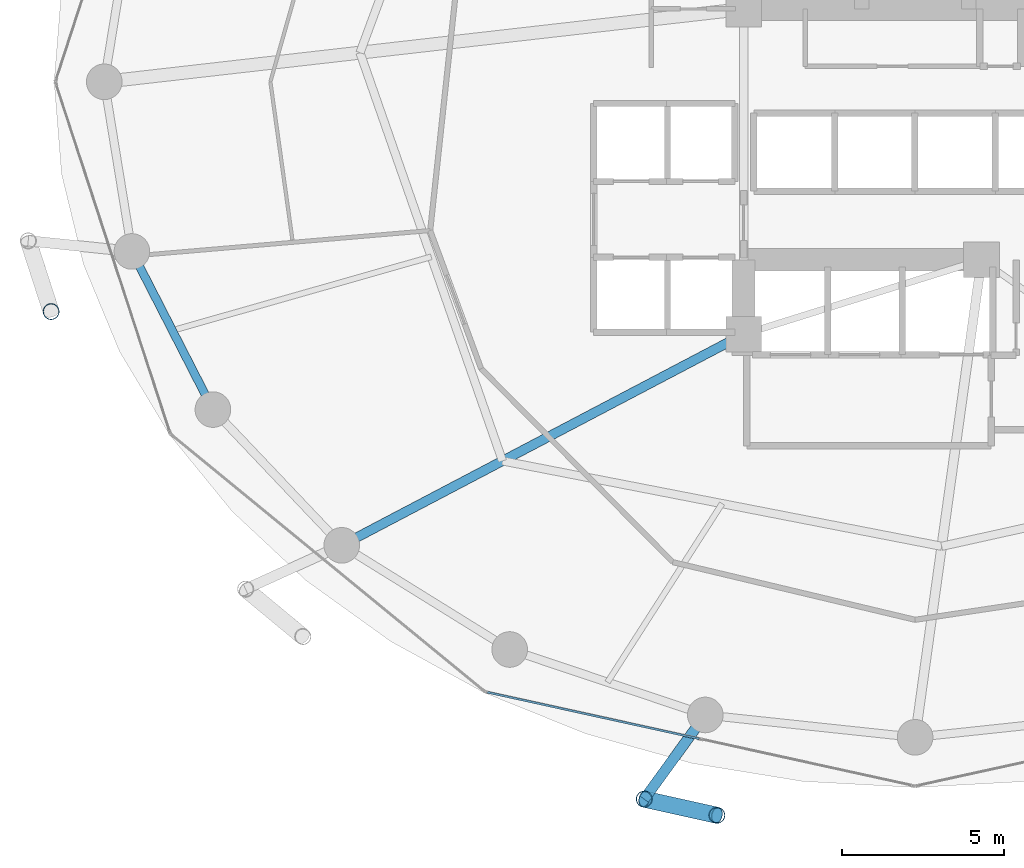
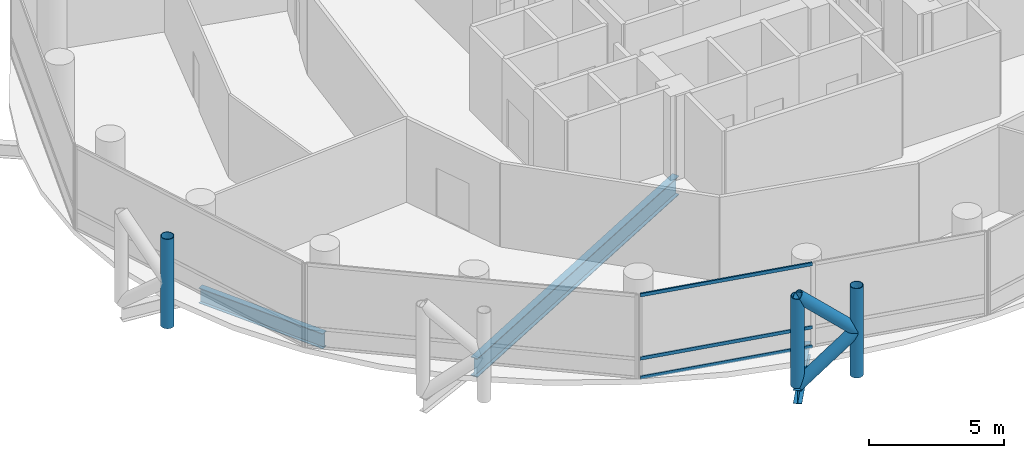
# One storey, part 3 of 24: 8 members, 3 beams, 1 element without a shape of its own.
"""IFC4 building model written with IfcOpenShell, lengths in metres."""

from ifc_helpers import new_model, si_unit, direction, frame, origin, origin_2d, place, context, subcontext, project, spatial, hollow_rectangle, hollow_circle, i_section, extrude, material, layer, layer_set, material_profile, profile_set, type_object, element, aggregate, save


model = new_model("IFC4")

# Units and contexts
model_context = context("Model", 3, precision=1e-05, world=origin(), true_north=direction((0.0, 1.0)))
body_context = subcontext(model_context, "Body", "Model", "MODEL_VIEW")
ifc_project = project(units=[si_unit("LENGTHUNIT", "METRE"), si_unit("AREAUNIT", "SQUARE_METRE"), si_unit("VOLUMEUNIT", "CUBIC_METRE"), si_unit("PLANEANGLEUNIT", "RADIAN"), si_unit("MASSUNIT", "GRAM", prefix="KILO")], contexts=[model_context])

# Site, building, storey
site_placement = place(None, origin())
site = spatial("IfcSite", under=ifc_project, at=site_placement, CompositionType="ELEMENT")
building_placement = place(site_placement, origin())
building = spatial("IfcBuilding", under=site, at=building_placement, Name="Nuhasar Tower", CompositionType="ELEMENT")
storey_placement = place(building_placement, frame((0.0, 0.0, 89.85009765625)))
storey = spatial("IfcBuildingStorey", under=building, at=storey_placement, Name="L21", CompositionType="ELEMENT", Elevation=89.85009765625)

# Beams
ifc_material_1 = material(Name="Steel S355", Category="steel")
ifc_material_profile_1 = material_profile(ifc_material_1, i_section(OverallWidth=0.2919921875, OverallDepth=0.85888671875, WebThickness=0.01708984375, FlangeThickness=0.031005859375, at=origin_2d()), Name="W33X169")
ifc_profile_set_1 = profile_set([ifc_material_profile_1], Name="Steel S355")
beam_type_1 = type_object("IfcBeamType", Name="BM-POD-W33X169", PredefinedType="BEAM", material=ifc_profile_set_1)
beam_1_placement = place(storey_placement, frame((33.699951171875, 19.0, -0.68017578125), z_axis=(-0.885330348705, -0.464962550816, 0.0), x_axis=(0.464962550816, -0.885330348705, 0.0)))
element("IfcBeam", 1, at=beam_1_placement, inside=storey, type_object=beam_type_1, Name="L21 Radial Floor Girder 01", PredefinedType="BEAM", context=body_context, shape_type="SweptSolid", body=[
    extrude(i_section(OverallWidth=0.2919921875, OverallDepth=0.85888671875, WebThickness=0.01708984375, FlangeThickness=0.031005859375, at=origin_2d()), origin(), (0.0, 0.0, 1.0), 14.0205078125),
])
ifc_material_profile_2 = material_profile(ifc_material_1, i_section(OverallWidth=0.256103515625, OverallDepth=0.693115234375, WebThickness=0.014404296875, FlangeThickness=0.023681640625, at=origin_2d()), Name="W27X114")
ifc_profile_set_2 = profile_set([ifc_material_profile_2], Name="Steel S355")
beam_type_2 = type_object("IfcBeamType", Name="BM-RING-W27X114", PredefinedType="SPANDREL", material=ifc_profile_set_2)
beam_2_placement = place(storey_placement, frame((14.803955078125, 21.55908203125, -0.59716796875), z_axis=(0.455930023905, -0.890015625314, 0.0), x_axis=(0.890015625314, 0.455930023905, 0.0)))
element("IfcBeam", 2, at=beam_2_placement, inside=storey, type_object=beam_type_2, Name="L21 Perimeter Ring Spandrel 14", PredefinedType="SPANDREL", context=body_context, shape_type="SweptSolid", body=[
    extrude(i_section(OverallWidth=0.256103515625, OverallDepth=0.693115234375, WebThickness=0.014404296875, FlangeThickness=0.023681640625, at=origin_2d()), origin(), (0.0, 0.0, 1.0), 5.487548828125),
])
ifc_material_profile_3 = material_profile(ifc_material_1, i_section(OverallWidth=0.323974609375, OverallDepth=0.611083984375, WebThickness=0.0126953125, FlangeThickness=0.01904296875, at=origin_2d()), Name="W24X104")
ifc_profile_set_3 = profile_set([ifc_material_profile_3], Name="Steel S355")
beam_type_3 = type_object("IfcBeamType", Name="BM-TIE-W24X104", PredefinedType="BEAM", material=ifc_profile_set_3)
beam_3_placement = place(storey_placement, frame((32.51708984375, 7.239990234375, -0.55615234375), z_axis=(-0.587403316448, -0.809294349311, 0.0), x_axis=(0.809294349311, -0.587403316448, 0.0)))
element("IfcBeam", 3, at=beam_3_placement, inside=storey, type_object=beam_type_3, Name="L21 Exoskeleton Node Tie Beam 09", PredefinedType="BEAM", context=body_context, shape_type="SweptSolid", body=[
    extrude(i_section(OverallWidth=0.323974609375, OverallDepth=0.611083984375, WebThickness=0.0126953125, FlangeThickness=0.01904296875, at=origin_2d()), origin(), (0.0, 0.0, 1.0), 3.212890625),
])

# Curtain wall, members
ifc_material_2 = material(Name="Aluminium 6063-T6", Category="aluminium")
ifc_layer = layer(ifc_material_2, 0.199951171875)
ifc_layer_set = layer_set([ifc_layer], Name="Aluminium 6063-T6")
curtain_wall_type = type_object("IfcCurtainWallType", Name="CW-Z1-OFF", PredefinedType="NOTDEFINED", material=ifc_layer_set)
curtain_wall_placement = place(storey_placement, origin())
curtain_wall = element("IfcCurtainWall", 4, at=curtain_wall_placement, inside=storey, type_object=curtain_wall_type, Name="L21 Unitised Curtain Wall 09", PredefinedType="NOTDEFINED")
ifc_material_profile_4 = material_profile(ifc_material_2, hollow_rectangle(XDim=0.06494140625, YDim=0.14990234375, WallThickness=0.00439453125, at=origin_2d()), Name="CWT-2")
ifc_profile_set_4 = profile_set([ifc_material_profile_4], Name="Aluminium 6063-T6")
member_type_1 = type_object("IfcMemberType", Name="CW-TRN-S2", PredefinedType="USERDEFINED", material=ifc_profile_set_4)
member_1_placement = place(storey_placement, frame((25.783447265625, 7.941162109375, 0.032470703125), z_axis=(0.976741923778, -0.214418316228, 0.0), x_axis=(0.214418316228, 0.976741923778, 0.0)))
member_1 = element("IfcMember", 5, at=member_1_placement, type_object=member_type_1, Name="CW-Z1 transom 1.1", ObjectType="TRANSOM", PredefinedType="USERDEFINED", context=body_context, shape_type="SweptSolid", body=[
    extrude(hollow_rectangle(XDim=0.06494140625, YDim=0.14990234375, WallThickness=0.00439453125, at=origin_2d()), origin(), (0.0, 0.0, 1.0), 6.70068359375),
])
member_2_placement = place(storey_placement, frame((25.783447265625, 7.941162109375, 0.89990234375), z_axis=(0.976741923778, -0.214418316228, 0.0), x_axis=(0.214418316228, 0.976741923778, 0.0)))
member_2 = element("IfcMember", 6, at=member_2_placement, type_object=member_type_1, Name="CW-Z1 transom 1.2", ObjectType="TRANSOM", PredefinedType="USERDEFINED", context=body_context, shape_type="SweptSolid", body=[
    extrude(hollow_rectangle(XDim=0.06494140625, YDim=0.14990234375, WallThickness=0.00439453125, at=origin_2d()), origin(), (0.0, 0.0, 1.0), 6.70068359375),
])
member_3_placement = place(storey_placement, frame((25.783447265625, 7.941162109375, 3.767333984375), z_axis=(0.976741923778, -0.214418316228, 0.0), x_axis=(0.214418316228, 0.976741923778, 0.0)))
member_3 = element("IfcMember", 7, at=member_3_placement, type_object=member_type_1, Name="CW-Z1 transom 1.3", ObjectType="TRANSOM", PredefinedType="USERDEFINED", context=body_context, shape_type="SweptSolid", body=[
    extrude(hollow_rectangle(XDim=0.06494140625, YDim=0.14990234375, WallThickness=0.00439453125, at=origin_2d()), origin(), (0.0, 0.0, 1.0), 6.70068359375),
])
aggregate(curtain_wall, [member_1, member_2, member_3])

# Members
ifc_material_3 = material(Name="Steel S460", Category="steel")
ifc_material_profile_5 = material_profile(ifc_material_3, hollow_circle(Radius=0.25390625, WallThickness=0.025390625, at=origin_2d()), Name="HSS508X25.4")
ifc_profile_set_5 = profile_set([ifc_material_profile_5], Name="Steel S460")
member_type_2 = type_object("IfcMemberType", Name="EXO-BRONZE-508", PredefinedType="BRACE", material=ifc_profile_set_5)
for number, where, z_axis, x_axis, name in (
    (8, (12.30810546875, 19.700927734375, 0.0), (0.0, 0.0, 1.0), (1.0, 0.0, 0.0), "L21 Exoskeleton Chord Column EC-07B"),
    (9, (30.6298828125, 4.639892578125, 0.0), (0.0, 0.0, 1.0), (1.0, 0.0, 0.0), "L21 Exoskeleton Chord Column EC-09A"),
    (10, (32.8759765625, 4.14111328125, 0.0), (0.0, 0.0, 1.0), (1.0, 0.0, 0.0), "L21 Exoskeleton Chord Column EC-09B"),
):
    element("IfcMember", number, at=place(storey_placement, frame(where, z_axis=z_axis, x_axis=x_axis)), inside=storey, type_object=member_type_2, Name=name, PredefinedType="BRACE", context=body_context, shape_type="SweptSolid", body=[
        extrude(hollow_circle(Radius=0.25390625, WallThickness=0.025390625, at=origin_2d()), origin(), (0.0, 0.0, 1.0), 4.0498046875),
    ])
for number, where, z_axis, x_axis, name in (
    (11, (30.6298828125, 4.639892578125, 0.0), (0.732830973624, -0.162736269469, 0.66066305383), (0.216784396973, 0.976219506683, 0.0), "L21 Bronze Diagrid Brace W1-09"),
    (12, (32.8759765625, 4.14111328125, 2.02490234375), (-0.732830973624, 0.162736269469, 0.66066305383), (-0.216784396973, -0.976219506683, 0.0), "L21 Bronze Diagrid Brace W2-09"),
):
    element("IfcMember", number, at=place(storey_placement, frame(where, z_axis=z_axis, x_axis=x_axis)), inside=storey, type_object=member_type_2, Name=name, PredefinedType="BRACE", context=body_context, shape_type="SweptSolid", body=[
        extrude(hollow_circle(Radius=0.25390625, WallThickness=0.025390625, at=origin_2d()), origin(), (0.0, 0.0, 1.0), 3.06494140625),
    ])

save(model, "model.ifc")
